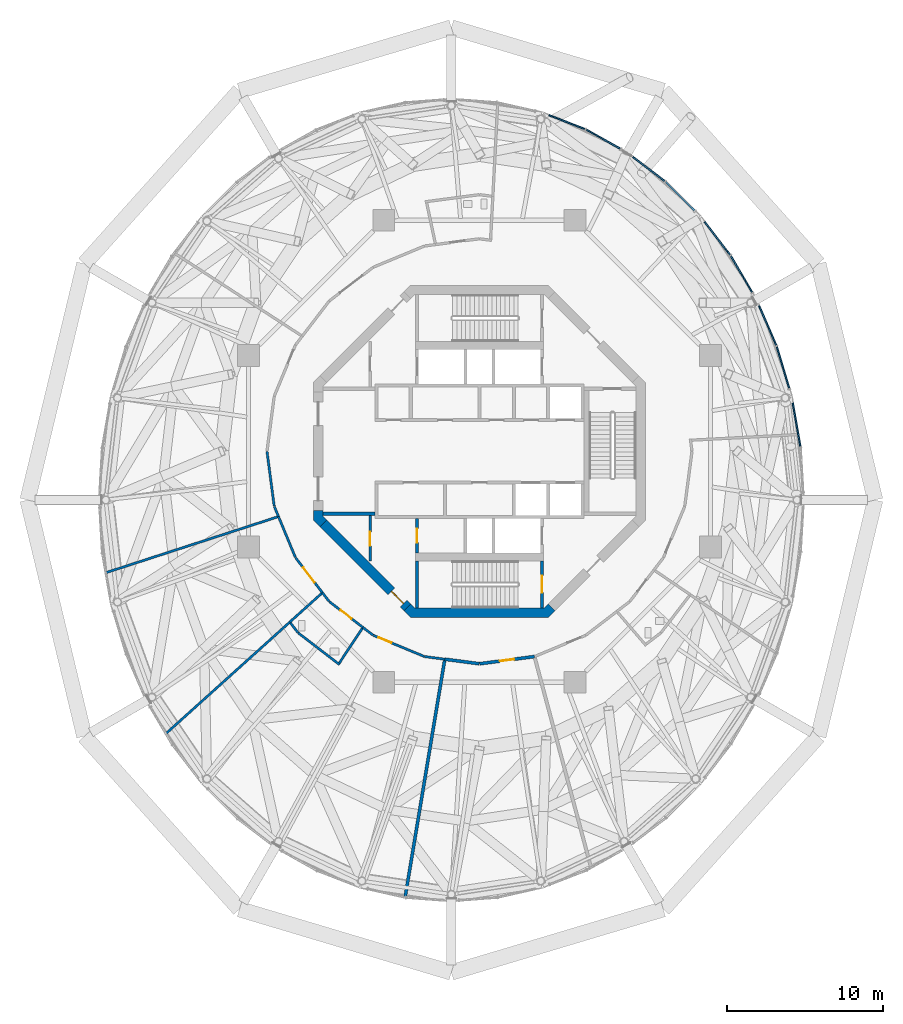
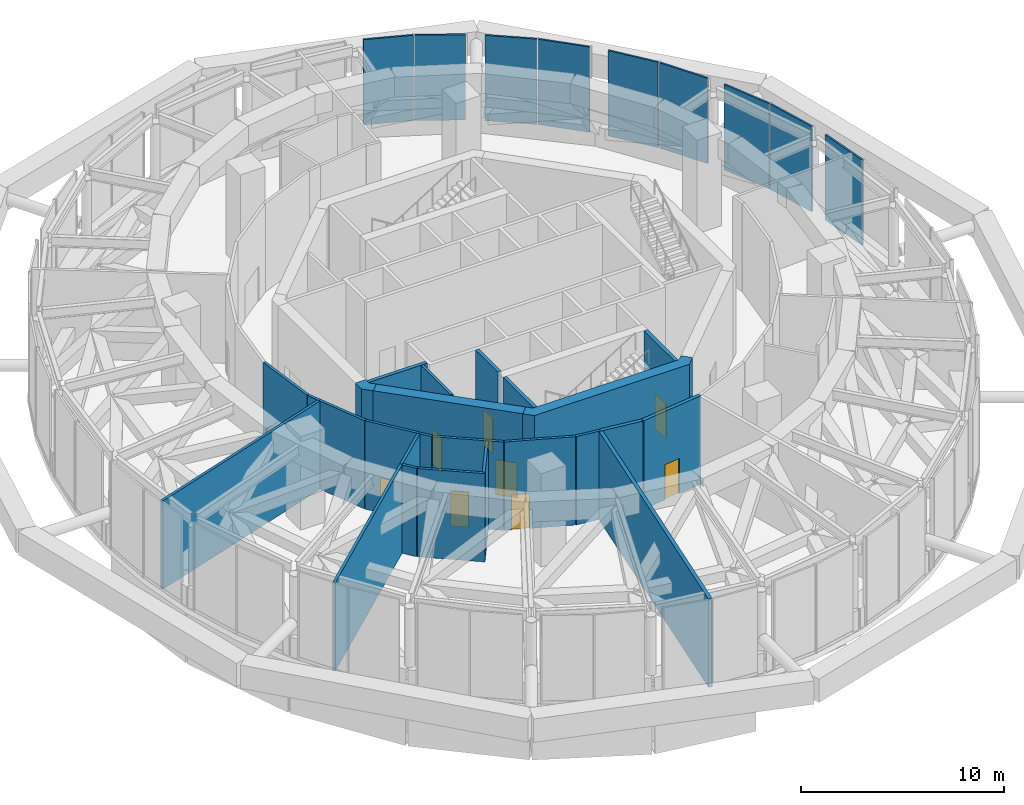
# One storey, part 13 of 22: 26 walls, 9 plates, 8 doors, 8 openings, 9 elements without a shape of their own.
"""IFC4 building model written with IfcOpenShell, lengths in metres."""

from ifc_helpers import new_model, si_unit, direction, frame, frame_2d, origin, origin_2d, place, context, subcontext, project, spatial, polyline, rectangle, outline, extrude, material, layer, layer_set, type_object, element, fill, aggregate, save


model = new_model("IFC4")

# Units and contexts
model_context = context("Model", 3, precision=1e-05, world=origin(), true_north=direction((0.0, 1.0)))
body_context = subcontext(model_context, "Body", "Model", "MODEL_VIEW")
ifc_project = project(units=[si_unit("LENGTHUNIT", "METRE"), si_unit("AREAUNIT", "SQUARE_METRE"), si_unit("VOLUMEUNIT", "CUBIC_METRE"), si_unit("PLANEANGLEUNIT", "RADIAN"), si_unit("MASSUNIT", "GRAM", prefix="KILO")], contexts=[model_context])

# Site, building, storey
site_placement = place(None, origin())
site = spatial("IfcSite", under=ifc_project, at=site_placement, CompositionType="ELEMENT")
building_placement = place(site_placement, origin())
building = spatial("IfcBuilding", under=site, at=building_placement, Name="Nagisa Residences", CompositionType="ELEMENT")
storey_placement = place(building_placement, frame((0.0, 0.0, 310.300048828125)))
storey = spatial("IfcBuildingStorey", under=building, at=storey_placement, Name="L77", CompositionType="ELEMENT", Elevation=310.300048828125)

# Curtain wall, plate
ifc_material_1 = material(Name="Aluminium curtain wall system", Category="aluminium")
ifc_layer_1 = layer(ifc_material_1, 0.159912109375)
ifc_layer_set_1 = layer_set([ifc_layer_1], Name="CW2 CURTAIN WALL")
curtain_wall_type = type_object("IfcCurtainWallType", Name="CW2 CURTAIN WALL", PredefinedType="NOTDEFINED", material=ifc_layer_set_1)
curtain_wall_1_placement = place(storey_placement, origin())
curtain_wall_1 = element("IfcCurtainWall", 1, at=curtain_wall_1_placement, inside=storey, type_object=curtain_wall_type, Name="cw:CW2:L77:01", PredefinedType="NOTDEFINED")
ifc_material_2 = material(Name="Insulated metal spandrel panel")
ifc_layer_2 = layer(ifc_material_2, 0.10009765625)
ifc_layer_set_2 = layer_set([ifc_layer_2], Name="CW2 SPANDREL PANEL")
plate_type = type_object("IfcPlateType", Name="CW2 SPANDREL PANEL", PredefinedType="SHEET", material=ifc_layer_set_2)
plate_1_placement = place(storey_placement, frame((20.291015625, 1.697265625, 0.179931640625), z_axis=(0.0, 0.0, 1.0), x_axis=(-0.172190868898, 0.985063604377, 0.0)))
plate_1 = element("IfcPlate", 2, at=plate_1_placement, type_object=plate_type, Name="CW2 spandrel panel", PredefinedType="SHEET", context=body_context, shape_type="SweptSolid", body=[
    extrude(rectangle(XDim=2.822265625, YDim=0.10009765625, at=origin_2d()), origin(), (0.0, 0.0, 1.0), 5.1201171875),
])
aggregate(curtain_wall_1, [plate_1])

curtain_wall_2_placement = place(storey_placement, origin())
curtain_wall_2 = element("IfcCurtainWall", 3, at=curtain_wall_2_placement, inside=storey, type_object=curtain_wall_type, Name="cw:CW2:L77:02", PredefinedType="NOTDEFINED")
plate_2_placement = place(storey_placement, frame((19.42138671875, 5.36962890625, 0.179931640625), z_axis=(0.0, 0.0, 1.0), x_axis=(-0.285860274038, 0.958271310082, 0.0)))
plate_2 = element("IfcPlate", 4, at=plate_2_placement, type_object=plate_type, Name="CW2 spandrel panel", PredefinedType="SHEET", context=body_context, shape_type="SweptSolid", body=[
    extrude(rectangle(XDim=2.797119140625, YDim=0.10009765625, at=origin_2d()), origin(), (0.0, 0.0, 1.0), 5.1201171875),
])
aggregate(curtain_wall_2, [plate_2])

curtain_wall_3_placement = place(storey_placement, origin())
curtain_wall_3 = element("IfcCurtainWall", 5, at=curtain_wall_3_placement, inside=storey, type_object=curtain_wall_type, Name="cw:CW2:L77:03", PredefinedType="NOTDEFINED")
plate_3_placement = place(storey_placement, frame((18.444091796875, 8.040771484375, 0.179931640625), z_axis=(0.0, 0.0, 1.0), x_axis=(-0.397635934147, 0.917543276295, 0.0)))
plate_3 = element("IfcPlate", 6, at=plate_3_placement, type_object=plate_type, Name="CW2 spandrel panel", PredefinedType="SHEET", context=body_context, shape_type="SweptSolid", body=[
    extrude(rectangle(XDim=2.760986328125, YDim=0.10009765625, at=origin_2d()), origin(), (0.0, 0.0, 1.0), 5.1201171875),
])
aggregate(curtain_wall_3, [plate_3])

curtain_wall_4_placement = place(storey_placement, origin())
curtain_wall_4 = element("IfcCurtainWall", 7, at=curtain_wall_4_placement, inside=storey, type_object=curtain_wall_type, Name="cw:CW2:L77:04", PredefinedType="NOTDEFINED")
plate_4_placement = place(storey_placement, frame((16.764404296875, 11.340087890625, 0.179931640625), z_axis=(0.0, 0.0, 1.0), x_axis=(-0.506348567002, 0.862328898214, 0.0)))
plate_4 = element("IfcPlate", 8, at=plate_4_placement, type_object=plate_type, Name="CW2 spandrel panel", PredefinedType="SHEET", context=body_context, shape_type="SweptSolid", body=[
    extrude(rectangle(XDim=2.716552734375, YDim=0.10009765625, at=origin_2d()), origin(), (0.0, 0.0, 1.0), 5.1201171875),
])
aggregate(curtain_wall_4, [plate_4])

curtain_wall_5_placement = place(storey_placement, origin())
curtain_wall_5 = element("IfcCurtainWall", 9, at=curtain_wall_5_placement, inside=storey, type_object=curtain_wall_type, Name="cw:CW2:L77:05", PredefinedType="NOTDEFINED")
plate_5_placement = place(storey_placement, frame((15.2197265625, 13.6220703125, 0.179931640625), z_axis=(0.0, 0.0, 1.0), x_axis=(-0.610429828235, 0.792070340816, 0.0)))
plate_5 = element("IfcPlate", 10, at=plate_5_placement, type_object=plate_type, Name="CW2 spandrel panel", PredefinedType="SHEET", context=body_context, shape_type="SweptSolid", body=[
    extrude(rectangle(XDim=2.666015625, YDim=0.10009765625, at=origin_2d()), origin(), (0.0, 0.0, 1.0), 5.1201171875),
])
aggregate(curtain_wall_5, [plate_5])

curtain_wall_6_placement = place(storey_placement, origin())
curtain_wall_6 = element("IfcCurtainWall", 11, at=curtain_wall_6_placement, inside=storey, type_object=curtain_wall_type, Name="cw:CW2:L77:06", PredefinedType="NOTDEFINED")
plate_6_placement = place(storey_placement, frame((12.83837890625, 16.32373046875, 0.179931640625), z_axis=(0.0, 0.0, 1.0), x_axis=(-0.707835924016, 0.706376885714, 0.0)))
plate_6 = element("IfcPlate", 12, at=plate_6_placement, type_object=plate_type, Name="CW2 spandrel panel", PredefinedType="SHEET", context=body_context, shape_type="SweptSolid", body=[
    extrude(rectangle(XDim=2.61279296875, YDim=0.10009765625, at=origin_2d()), origin(), (0.0, 0.0, 1.0), 5.1201171875),
])
aggregate(curtain_wall_6, [plate_6])

curtain_wall_7_placement = place(storey_placement, origin())
curtain_wall_7 = element("IfcCurtainWall", 13, at=curtain_wall_7_placement, inside=storey, type_object=curtain_wall_type, Name="cw:CW2:L77:07", PredefinedType="NOTDEFINED")
plate_7_placement = place(storey_placement, frame((10.8388671875, 18.062744140625, 0.179931640625), z_axis=(0.0, 0.0, 1.0), x_axis=(-0.79603132756, 0.605255421737, 0.0)))
plate_7 = element("IfcPlate", 14, at=plate_7_placement, type_object=plate_type, Name="CW2 spandrel panel", PredefinedType="SHEET", context=body_context, shape_type="SweptSolid", body=[
    extrude(rectangle(XDim=2.560546875, YDim=0.10009765625, at=origin_2d()), origin(), (0.0, 0.0, 1.0), 5.1201171875),
])
aggregate(curtain_wall_7, [plate_7])

curtain_wall_8_placement = place(storey_placement, origin())
curtain_wall_8 = element("IfcCurtainWall", 15, at=curtain_wall_8_placement, inside=storey, type_object=curtain_wall_type, Name="cw:CW2:L77:08", PredefinedType="NOTDEFINED")
plate_8_placement = place(storey_placement, frame((7.912841796875, 19.978271484375, 0.179931640625), z_axis=(0.0, 0.0, 1.0), x_axis=(-0.872072377523, 0.489376918501, 0.0)))
plate_8 = element("IfcPlate", 16, at=plate_8_placement, type_object=plate_type, Name="CW2 spandrel panel", PredefinedType="SHEET", context=body_context, shape_type="SweptSolid", body=[
    extrude(rectangle(XDim=2.512939453125, YDim=0.10009765625, at=origin_2d()), origin(), (0.0, 0.0, 1.0), 5.1201171875),
])
aggregate(curtain_wall_8, [plate_8])

curtain_wall_9_placement = place(storey_placement, origin())
curtain_wall_9 = element("IfcCurtainWall", 17, at=curtain_wall_9_placement, inside=storey, type_object=curtain_wall_type, Name="cw:CW2:L77:09", PredefinedType="NOTDEFINED")
plate_9_placement = place(storey_placement, frame((5.59912109375, 21.062744140625, 0.179931640625), z_axis=(0.0, 0.0, 1.0), x_axis=(-0.932825759707, 0.360327770268, 0.0)))
plate_9 = element("IfcPlate", 18, at=plate_9_placement, type_object=plate_type, Name="CW2 spandrel panel", PredefinedType="SHEET", context=body_context, shape_type="SweptSolid", body=[
    extrude(rectangle(XDim=2.4736328125, YDim=0.10009765625, at=origin_2d()), origin(), (0.0, 0.0, 1.0), 5.1201171875),
])
aggregate(curtain_wall_9, [plate_9])

# Wall, opening, door
ifc_material_3 = material(Name="Gypsum board on steel studs", Category="steel")
ifc_layer_3 = layer(ifc_material_3, 0.14990234375)
ifc_layer_set_3 = layer_set([ifc_layer_3], Name="Core partition 150")
wall_type_1 = type_object("IfcWallType", Name="Core partition 150", PredefinedType="PARTITIONING", material=ifc_layer_set_3)
wall_1_placement = place(storey_placement, frame((-7.0, -7.02685546875, 0.0), z_axis=(0.0, 0.0, 1.0), x_axis=(0.0, 1.0, 0.0)))
wall_1 = element("IfcWall", 19, at=wall_1_placement, inside=storey, type_object=wall_type_1, Name="wall:L77:SWp", PredefinedType="PARTITIONING", context=body_context, shape_type="SweptSolid", body=[
    extrude(rectangle(XDim=2.9267578125, YDim=0.14990234375, at=frame_2d((1.46337890625, 0.0))), origin(), (0.0, 0.0, 1.0), 5.300048828125),
])
opening_1_placement = place(wall_1_placement, frame((0.97607421875, 0.0, 0.0)))
opening_1 = element("IfcOpeningElement", 20, at=opening_1_placement, cuts=wall_1, Name="Opening L77-C11", PredefinedType="OPENING", context=body_context, shape_type="SweptSolid", body=[
    extrude(rectangle(XDim=0.89990234375, YDim=2.10009765625, at=frame_2d((0.449951171875, 1.050048828125))), frame((0.0, 0.0849609375, 0.0), z_axis=(0.0, -1.0, 0.0), x_axis=(1.0, 0.0, 0.0)), (0.0, 0.0, 1.0), 0.169921875),
])
ifc_material_4 = material(Name="Steel fire door", Category="steel")
door_type_1 = type_object("IfcDoorType", Name="Fire door EI30 900x2100 single swing", OperationType="NOTDEFINED", PredefinedType="DOOR", material=ifc_material_4)
door_1_placement = place(opening_1_placement, origin())
door_1 = element("IfcDoor", 21, at=door_1_placement, inside=storey, type_object=door_type_1, Name="Refuse room door L77", OperationType="SINGLE_SWING_RIGHT", OverallHeight=2.10009765625, OverallWidth=0.89990234375, PredefinedType="DOOR", context=body_context, shape_type="SweptSolid", body=[
    extrude(rectangle(XDim=0.89990234375, YDim=2.10009765625, at=frame_2d((0.449951171875, 1.050048828125))), frame((0.0, 0.02490234375, 0.0), z_axis=(0.0, -1.0, 0.0), x_axis=(1.0, 0.0, 0.0)), (0.0, 0.0, 1.0), 0.050048828125),
])
fill(opening_1, door_1)

# Wall
ifc_material_5 = material(Name="Gypsum board on steel studs", Category="steel")
ifc_layer_4 = layer(ifc_material_5, 0.199951171875)
ifc_layer_set_4 = layer_set([ifc_layer_4], Name="Core partition 200")
wall_type_2 = type_object("IfcWallType", Name="Core partition 200", PredefinedType="PARTITIONING", material=ifc_layer_set_4)
wall_2_placement = place(storey_placement, frame((-10.024658203125, -4.0, 0.0), z_axis=(0.0, 0.0, 1.0), x_axis=(1.0, 0.0, 0.0)))
element("IfcWall", 22, at=wall_2_placement, inside=storey, type_object=wall_type_2, Name="wall:L77:PSW", PredefinedType="PARTITIONING", context=body_context, shape_type="SweptSolid", body=[
    extrude(rectangle(XDim=3.32470703125, YDim=0.199951171875, at=frame_2d((1.662353515625, 0.0))), origin(), (0.0, 0.0, 1.0), 5.300048828125),
])

# Wall, opening, door
ifc_material_6 = material(Name="Concrete C60", Category="concrete")
ifc_layer_5 = layer(ifc_material_6, 0.60009765625)
ifc_layer_set_5 = layer_set([ifc_layer_5], Name="Core shear wall 600")
wall_type_3 = type_object("IfcWallType", Name="Core shear wall 600", PredefinedType="SHEAR", material=ifc_layer_set_5)
wall_3_placement = place(storey_placement, frame((-9.98828125, -4.613037109375, 0.0), z_axis=(0.0, 0.0, 1.0), x_axis=(0.707106781187, -0.707106781187, 0.0)))
wall_3 = element("IfcWall", 23, at=wall_3_placement, inside=storey, type_object=wall_type_3, Name="wall:L77:core:flat5", PredefinedType="SHEAR", context=body_context, shape_type="SweptSolid", body=[
    extrude(rectangle(XDim=7.601806640625, YDim=0.60009765625, at=frame_2d((3.80078125, 0.0))), origin(), (0.0, 0.0, 1.0), 5.300048828125),
])
opening_2_placement = place(wall_3_placement, frame((6.15087890625, 0.0, 0.0)))
opening_2 = element("IfcOpeningElement", 24, at=opening_2_placement, cuts=wall_3, Name="Opening L77-C24", PredefinedType="OPENING", context=body_context, shape_type="SweptSolid", body=[
    extrude(rectangle(XDim=1.10009765625, YDim=2.10009765625, at=frame_2d((0.550048828125, 1.050048828125))), frame((0.0, 0.31005859375, 0.0), z_axis=(0.0, -1.0, 0.0), x_axis=(1.0, 0.0, 0.0)), (0.0, 0.0, 1.0), 0.6201171875),
])
ifc_material_7 = material(Name="Steel fire door", Category="steel")
door_type_2 = type_object("IfcDoorType", Name="Fire door EI60 1100x2100 single swing", OperationType="NOTDEFINED", PredefinedType="DOOR", material=ifc_material_7)
door_2_placement = place(opening_2_placement, origin())
door_2 = element("IfcDoor", 25, at=door_2_placement, inside=storey, type_object=door_type_2, Name="Housekeeping lobby door L77", OperationType="SINGLE_SWING_LEFT", OverallHeight=2.10009765625, OverallWidth=1.10009765625, PredefinedType="DOOR", context=body_context, shape_type="SweptSolid", body=[
    extrude(rectangle(XDim=1.10009765625, YDim=2.10009765625, at=frame_2d((0.550048828125, 1.050048828125))), frame((0.0, 0.02490234375, 0.0), z_axis=(0.0, -1.0, 0.0), x_axis=(1.0, 0.0, 0.0)), (0.0, 0.0, 1.0), 0.050048828125),
])
fill(opening_2, door_2)

# Walls
wall_4_placement = place(storey_placement, origin())
element("IfcWall", 26, at=wall_4_placement, inside=storey, type_object=wall_type_3, Name="wall:L77:core:pier4", PredefinedType="SHEAR", context=body_context, shape_type="SweptSolid", body=[
    extrude(outline(polyline([(-10.62451171875, -3.80078125), (-10.024658203125, -3.80078125), (-10.024658203125, -4.15234375), (-9.776123046875, -4.40087890625), (-10.200439453125, -4.8251953125), (-10.62451171875, -4.40087890625), (-10.62451171875, -3.80078125)])), origin(), (0.0, 0.0, 1.0), 5.300048828125),
])
wall_5_placement = place(storey_placement, origin())
element("IfcWall", 27, at=wall_5_placement, inside=storey, type_object=wall_type_3, Name="wall:L77:core:flat6", PredefinedType="SHEAR", context=body_context, shape_type="SweptSolid", body=[
    extrude(outline(polyline([(-4.15234375, -10.024658203125), (4.15234375, -10.024658203125), (4.40087890625, -9.776123046875), (4.8251953125, -10.200439453125), (4.40087890625, -10.62451171875), (-4.40087890625, -10.62451171875), (-4.8251953125, -10.200439453125), (-4.40087890625, -9.776123046875), (-4.15234375, -10.024658203125)])), origin(), (0.0, 0.0, 1.0), 5.300048828125),
])

# Wall, opening, door
ifc_material_8 = material(Name="Concrete C60", Category="concrete")
ifc_layer_6 = layer(ifc_material_8, 0.199951171875)
ifc_layer_set_6 = layer_set([ifc_layer_6], Name="Lift shaft wall 200")
wall_type_4 = type_object("IfcWallType", Name="Lift shaft wall 200", PredefinedType="SOLIDWALL", material=ifc_layer_set_6)
wall_6_placement = place(storey_placement, frame((-4.0, -6.5, 0.0), z_axis=(0.0, 0.0, 1.0), x_axis=(0.0, 1.0, 0.0)))
wall_6 = element("IfcWall", 28, at=wall_6_placement, inside=storey, type_object=wall_type_4, Name="wall:L77:Sb4", PredefinedType="SOLIDWALL", context=body_context, shape_type="SweptSolid", body=[
    extrude(rectangle(XDim=2.199951171875, YDim=0.199951171875, at=frame_2d((1.10009765625, 0.0))), origin(), (0.0, 0.0, 1.0), 5.300048828125),
])
opening_3_placement = place(wall_6_placement, frame((0.64990234375, 0.0, 0.0)))
opening_3 = element("IfcOpeningElement", 29, at=opening_3_placement, cuts=wall_6, Name="Opening L77-C12", PredefinedType="OPENING", context=body_context, shape_type="SweptSolid", body=[
    extrude(rectangle(XDim=0.89990234375, YDim=2.10009765625, at=frame_2d((0.449951171875, 1.050048828125))), frame((0.0, 0.10986328125, 0.0), z_axis=(0.0, -1.0, 0.0), x_axis=(1.0, 0.0, 0.0)), (0.0, 0.0, 1.0), 0.219970703125),
])
door_3_placement = place(opening_3_placement, frame((0.89990234375, 0.0, 0.0), x_axis=(-1.0, 0.0, 0.0)))
door_3 = element("IfcDoor", 30, at=door_3_placement, inside=storey, type_object=door_type_1, Name="Refuse room door L77", OperationType="SINGLE_SWING_LEFT", OverallHeight=2.10009765625, OverallWidth=0.89990234375, PredefinedType="DOOR", context=body_context, shape_type="SweptSolid", body=[
    extrude(rectangle(XDim=0.89990234375, YDim=2.10009765625, at=frame_2d((0.449951171875, 1.050048828125))), frame((0.0, 0.02490234375, 0.0), z_axis=(0.0, -1.0, 0.0), x_axis=(1.0, 0.0, 0.0)), (0.0, 0.0, 1.0), 0.050048828125),
])
fill(opening_3, door_3)

# Walls
ifc_material_9 = material(Name="Gypsum board on steel studs", Category="steel")
ifc_layer_7 = layer(ifc_material_9, 0.199951171875)
ifc_layer_set_7 = layer_set([ifc_layer_7], Name="Plant room wall EI120 200")
wall_type_5 = type_object("IfcWallType", Name="Plant room wall EI120 200", PredefinedType="PARTITIONING", material=ifc_layer_set_7)
wall_7_placement = place(storey_placement, frame((-2.23583984375, -13.406494140625, 0.0), z_axis=(0.0, 0.0, 1.0), x_axis=(-0.164512574318, -0.986374985942, 0.0)))
element("IfcWall", 31, at=wall_7_placement, inside=storey, type_object=wall_type_5, Name="wall:L77:am044", PredefinedType="PARTITIONING", context=body_context, shape_type="SweptSolid", body=[
    extrude(rectangle(XDim=15.3359375, YDim=0.199951171875, at=frame_2d((7.66796875, 0.0))), origin(), (0.0, 0.0, 1.0), 5.300048828125),
])
wall_8_placement = place(storey_placement, frame((-0.01513671875, -13.597900390625, 0.0), z_axis=(0.0, 0.0, 1.0), x_axis=(-0.991454669289, 0.130451672069, 0.0)))
element("IfcWall", 32, at=wall_8_placement, inside=storey, type_object=wall_type_5, Name="wall:L77:am045", PredefinedType="PARTITIONING", context=body_context, shape_type="SweptSolid", body=[
    extrude(rectangle(XDim=2.223388671875, YDim=0.199951171875, at=frame_2d((1.11181640625, 0.0))), origin(), (0.0, 0.0, 1.0), 5.300048828125),
])

# Wall, opening, door
wall_9_placement = place(storey_placement, frame((3.52001953125, -13.13671875, 0.0), z_axis=(0.0, 0.0, 1.0), x_axis=(-0.991453825407, -0.130458085553, 0.0)))
wall_9 = element("IfcWall", 33, at=wall_9_placement, inside=storey, type_object=wall_type_5, Name="wall:L77:am046", PredefinedType="PARTITIONING", context=body_context, shape_type="SweptSolid", body=[
    extrude(rectangle(XDim=3.53515625, YDim=0.199951171875, at=frame_2d((1.767578125, 0.0))), origin(), (0.0, 0.0, 1.0), 5.300048828125),
])
opening_4_placement = place(wall_9_placement, frame((1.3251953125, 0.0, 0.0)))
opening_4 = element("IfcOpeningElement", 34, at=opening_4_placement, cuts=wall_9, Name="Opening L77-A07", PredefinedType="OPENING", context=body_context, shape_type="SweptSolid", body=[
    extrude(rectangle(XDim=0.89990234375, YDim=2.10009765625, at=frame_2d((0.449951171875, 1.050048828125))), frame((0.0, 0.10986328125, 0.0), z_axis=(0.0, -1.0, 0.0), x_axis=(1.0, 0.0, 0.0)), (0.0, 0.0, 1.0), 0.219970703125),
])
ifc_material_10 = material(Name="Steel fire door", Category="steel")
door_type_3 = type_object("IfcDoorType", Name="Fire door EI120 900x2100 single swing", OperationType="NOTDEFINED", PredefinedType="DOOR", material=ifc_material_10)
door_4_placement = place(opening_4_placement, origin())
door_4 = element("IfcDoor", 35, at=door_4_placement, inside=storey, type_object=door_type_3, Name="Sky lounge kitchen door", OperationType="SINGLE_SWING_LEFT", OverallHeight=2.10009765625, OverallWidth=0.89990234375, PredefinedType="DOOR", context=body_context, shape_type="SweptSolid", body=[
    extrude(rectangle(XDim=0.89990234375, YDim=2.10009765625, at=frame_2d((0.449951171875, 1.050048828125))), frame((0.0, 0.02490234375, 0.0), z_axis=(0.0, -1.0, 0.0), x_axis=(1.0, 0.0, 0.0)), (0.0, 0.0, 1.0), 0.050048828125),
])
fill(opening_4, door_4)

# Walls
ifc_material_11 = material(Name="Gypsum board on steel studs", Category="steel")
ifc_layer_8 = layer(ifc_material_11, 0.14990234375)
ifc_layer_set_8 = layer_set([ifc_layer_8], Name="Room partition EI60 150")
wall_type_6 = type_object("IfcWallType", Name="Room partition EI60 150", PredefinedType="PARTITIONING", material=ifc_layer_set_8)
wall_10_placement = place(storey_placement, frame((-13.13818359375, -3.508056640625, 0.0), z_axis=(0.0, 0.0, 1.0), x_axis=(-0.130499283623, 0.991448403586, 0.0)))
element("IfcWall", 36, at=wall_10_placement, inside=storey, type_object=wall_type_6, Name="wall:L77:am001", PredefinedType="PARTITIONING", context=body_context, shape_type="SweptSolid", body=[
    extrude(rectangle(XDim=3.526611328125, YDim=0.14990234375, at=frame_2d((1.76318359375, 0.0))), origin(), (0.0, 0.0, 1.0), 5.300048828125),
])
wall_11_placement = place(storey_placement, frame((-12.93505859375, -4.202880859375, 0.0), z_axis=(0.0, 0.0, 1.0), x_axis=(-0.951055230502, -0.30902095161, 0.0)))
element("IfcWall", 37, at=wall_11_placement, inside=storey, type_object=wall_type_6, Name="wall:L77:am003", PredefinedType="PARTITIONING", context=body_context, shape_type="SweptSolid", body=[
    extrude(rectangle(XDim=11.529052734375, YDim=0.14990234375, at=frame_2d((5.7646484375, 0.0))), origin(), (0.0, 0.0, 1.0), 5.300048828125),
])
wall_12_placement = place(storey_placement, frame((-12.86328125, -4.1796875, 0.0), z_axis=(0.0, 0.0, 1.0), x_axis=(-0.382689470177, 0.923877031545, 0.0)))
element("IfcWall", 38, at=wall_12_placement, inside=storey, type_object=wall_type_6, Name="wall:L77:am004", PredefinedType="PARTITIONING", context=body_context, shape_type="SweptSolid", body=[
    extrude(rectangle(XDim=0.702392578125, YDim=0.14990234375, at=frame_2d((0.35107421875, 0.0))), origin(), (0.0, 0.0, 1.0), 5.300048828125),
])
wall_13_placement = place(storey_placement, frame((-12.138427734375, -10.9296875, 0.0), z_axis=(0.0, 0.0, 1.0), x_axis=(-0.743151720373, -0.669122948722, 0.0)))
element("IfcWall", 39, at=wall_13_placement, inside=storey, type_object=wall_type_6, Name="wall:L77:am005", PredefinedType="PARTITIONING", context=body_context, shape_type="SweptSolid", body=[
    extrude(rectangle(XDim=10.655517578125, YDim=0.14990234375, at=frame_2d((5.32763671875, 0.0))), origin(), (0.0, 0.0, 1.0), 5.300048828125),
])
wall_14_placement = place(storey_placement, frame((-11.782470703125, -6.7890625, 0.0), z_axis=(0.0, 0.0, 1.0), x_axis=(-0.382674980262, 0.923883033442, 0.0)))
element("IfcWall", 40, at=wall_14_placement, inside=storey, type_object=wall_type_6, Name="wall:L77:am006", PredefinedType="PARTITIONING", context=body_context, shape_type="SweptSolid", body=[
    extrude(rectangle(XDim=2.824462890625, YDim=0.14990234375, at=frame_2d((1.412109375, 0.0))), origin(), (0.0, 0.0, 1.0), 5.300048828125),
])
wall_15_placement = place(storey_placement, frame((-11.620849609375, -11.604248046875, 0.0), z_axis=(0.0, 0.0, 1.0), x_axis=(-0.608781909099, 0.793337624945, 0.0)))
element("IfcWall", 41, at=wall_15_placement, inside=storey, type_object=wall_type_6, Name="wall:L77:am008", PredefinedType="PARTITIONING", context=body_context, shape_type="SweptSolid", body=[
    extrude(rectangle(XDim=0.775146484375, YDim=0.14990234375, at=frame_2d((0.3876953125, 0.0))), origin(), (0.0, 0.0, 1.0), 5.300048828125),
])
wall_16_placement = place(storey_placement, frame((-10.107177734375, -9.1005859375, 0.0), z_axis=(0.0, 0.0, 1.0), x_axis=(-0.743116473198, -0.669162093414, 0.0)))
element("IfcWall", 42, at=wall_16_placement, inside=storey, type_object=wall_type_6, Name="wall:L77:am011", PredefinedType="PARTITIONING", context=body_context, shape_type="SweptSolid", body=[
    extrude(rectangle(XDim=2.7333984375, YDim=0.14990234375, at=frame_2d((1.36669921875, 0.0))), origin(), (0.0, 0.0, 1.0), 5.300048828125),
])

# Wall, opening, door
wall_17_placement = place(storey_placement, frame((-10.05126953125, -9.05029296875, 0.0), z_axis=(0.0, 0.0, 1.0), x_axis=(-0.608745411834, 0.793365630445, 0.0)))
wall_17 = element("IfcWall", 43, at=wall_17_placement, inside=storey, type_object=wall_type_6, Name="wall:L77:am012", PredefinedType="PARTITIONING", context=body_context, shape_type="SweptSolid", body=[
    extrude(rectangle(XDim=2.82470703125, YDim=0.14990234375, at=frame_2d((1.412353515625, 0.0))), origin(), (0.0, 0.0, 1.0), 5.300048828125),
])
opening_5_placement = place(wall_17_placement, frame((0.818115234375, 0.0, 0.0)))
opening_5 = element("IfcOpeningElement", 44, at=opening_5_placement, cuts=wall_17, Name="Opening L77-A04", PredefinedType="OPENING", context=body_context, shape_type="SweptSolid", body=[
    extrude(rectangle(XDim=1.199951171875, YDim=2.10009765625, at=frame_2d((0.60009765625, 1.050048828125))), frame((0.0, 0.0849609375, 0.0), z_axis=(0.0, -1.0, 0.0), x_axis=(1.0, 0.0, 0.0)), (0.0, 0.0, 1.0), 0.169921875),
])
ifc_material_12 = material(Name="Steel fire door", Category="steel")
door_type_4 = type_object("IfcDoorType", Name="Fire door EI30 1200x2100 single swing", OperationType="NOTDEFINED", PredefinedType="DOOR", material=ifc_material_12)
door_5_placement = place(opening_5_placement, frame((1.199951171875, 0.0, 0.0), x_axis=(-1.0, 0.0, 0.0)))
door_5 = element("IfcDoor", 45, at=door_5_placement, inside=storey, type_object=door_type_4, Name="Sky lounge bar door", OperationType="SINGLE_SWING_LEFT", OverallHeight=2.10009765625, OverallWidth=1.199951171875, PredefinedType="DOOR", context=body_context, shape_type="SweptSolid", body=[
    extrude(rectangle(XDim=1.199951171875, YDim=2.10009765625, at=frame_2d((0.60009765625, 1.050048828125))), frame((0.0, 0.02490234375, 0.0), z_axis=(0.0, -1.0, 0.0), x_axis=(1.0, 0.0, 0.0)), (0.0, 0.0, 1.0), 0.050048828125),
])
fill(opening_5, door_5)

# Walls
wall_18_placement = place(storey_placement, frame((-9.6240234375, -9.607177734375, 0.0), z_axis=(0.0, 0.0, 1.0), x_axis=(-0.608701690893, 0.793399175387, 0.0)))
element("IfcWall", 46, at=wall_18_placement, inside=storey, type_object=wall_type_6, Name="wall:L77:am013", PredefinedType="PARTITIONING", context=body_context, shape_type="SweptSolid", body=[
    extrude(rectangle(XDim=0.701904296875, YDim=0.14990234375, at=frame_2d((0.35107421875, 0.0))), origin(), (0.0, 0.0, 1.0), 5.300048828125),
])
wall_19_placement = place(storey_placement, frame((-8.949951171875, -13.657470703125, 0.0), z_axis=(0.0, 0.0, 1.0), x_axis=(-0.793366697833, 0.608744020725, 0.0)))
element("IfcWall", 47, at=wall_19_placement, inside=storey, type_object=wall_type_6, Name="wall:L77:am015", PredefinedType="PARTITIONING", context=body_context, shape_type="SweptSolid", body=[
    extrude(rectangle(XDim=3.345703125, YDim=0.14990234375, at=frame_2d((1.6728515625, 0.0))), origin(), (0.0, 0.0, 1.0), 5.300048828125),
])

# Wall, opening, door
wall_20_placement = place(storey_placement, frame((-7.46044921875, -11.271240234375, 0.0), z_axis=(0.0, 0.0, 1.0), x_axis=(-0.793357968255, 0.608755397682, 0.0)))
wall_20 = element("IfcWall", 48, at=wall_20_placement, inside=storey, type_object=wall_type_6, Name="wall:L77:am016", PredefinedType="PARTITIONING", context=body_context, shape_type="SweptSolid", body=[
    extrude(rectangle(XDim=2.705810546875, YDim=0.14990234375, at=frame_2d((1.35302734375, 0.0))), origin(), (0.0, 0.0, 1.0), 5.300048828125),
])
opening_6_placement = place(wall_20_placement, frame((0.908935546875, 0.0, 0.0)))
opening_6 = element("IfcOpeningElement", 49, at=opening_6_placement, cuts=wall_20, Name="Opening L77-A05", PredefinedType="OPENING", context=body_context, shape_type="SweptSolid", body=[
    extrude(rectangle(XDim=0.89990234375, YDim=2.10009765625, at=frame_2d((0.449951171875, 1.050048828125))), frame((0.0, 0.0849609375, 0.0), z_axis=(0.0, -1.0, 0.0), x_axis=(1.0, 0.0, 0.0)), (0.0, 0.0, 1.0), 0.169921875),
])
door_6_placement = place(opening_6_placement, origin())
door_6 = element("IfcDoor", 50, at=door_6_placement, inside=storey, type_object=door_type_1, Name="WC 1 door", OperationType="SINGLE_SWING_LEFT", OverallHeight=2.10009765625, OverallWidth=0.89990234375, PredefinedType="DOOR", context=body_context, shape_type="SweptSolid", body=[
    extrude(rectangle(XDim=0.89990234375, YDim=2.10009765625, at=frame_2d((0.449951171875, 1.050048828125))), frame((0.0, 0.02490234375, 0.0), z_axis=(0.0, -1.0, 0.0), x_axis=(1.0, 0.0, 0.0)), (0.0, 0.0, 1.0), 0.050048828125),
])
fill(opening_6, door_6)

# Walls
wall_21_placement = place(storey_placement, frame((-7.501953125, -11.333984375, 0.0), z_axis=(0.0, 0.0, 1.0), x_axis=(-0.55191859821, -0.833897991933, 0.0)))
element("IfcWall", 51, at=wall_21_placement, inside=storey, type_object=wall_type_6, Name="wall:L77:am017", PredefinedType="PARTITIONING", context=body_context, shape_type="SweptSolid", body=[
    extrude(rectangle(XDim=2.65625, YDim=0.14990234375, at=frame_2d((1.328125, 0.0))), origin(), (0.0, 0.0, 1.0), 5.300048828125),
])
wall_22_placement = place(storey_placement, frame((-6.809326171875, -11.770751953125, 0.0), z_axis=(0.0, 0.0, 1.0), x_axis=(-0.793419582726, 0.60867509046, 0.0)))
element("IfcWall", 52, at=wall_22_placement, inside=storey, type_object=wall_type_6, Name="wall:L77:am018", PredefinedType="PARTITIONING", context=body_context, shape_type="SweptSolid", body=[
    extrude(rectangle(XDim=0.820556640625, YDim=0.14990234375, at=frame_2d((0.41015625, 0.0))), origin(), (0.0, 0.0, 1.0), 5.300048828125),
])

# Wall, opening, door
wall_23_placement = place(storey_placement, frame((-3.53076171875, -13.132080078125, 0.0), z_axis=(0.0, 0.0, 1.0), x_axis=(-0.923881838111, 0.382677866108, 0.0)))
wall_23 = element("IfcWall", 53, at=wall_23_placement, inside=storey, type_object=wall_type_6, Name="wall:L77:am020", PredefinedType="PARTITIONING", context=body_context, shape_type="SweptSolid", body=[
    extrude(rectangle(XDim=3.52685546875, YDim=0.14990234375, at=frame_2d((1.763427734375, 0.0))), origin(), (0.0, 0.0, 1.0), 5.300048828125),
])
opening_7_placement = place(wall_23_placement, frame((2.281005859375, 0.0, 0.0)))
opening_7 = element("IfcOpeningElement", 54, at=opening_7_placement, cuts=wall_23, Name="Opening L77-A06", PredefinedType="OPENING", context=body_context, shape_type="SweptSolid", body=[
    extrude(rectangle(XDim=0.89990234375, YDim=2.10009765625, at=frame_2d((0.449951171875, 1.050048828125))), frame((0.0, 0.0849609375, 0.0), z_axis=(0.0, -1.0, 0.0), x_axis=(1.0, 0.0, 0.0)), (0.0, 0.0, 1.0), 0.169921875),
])
door_7_placement = place(opening_7_placement, origin())
door_7 = element("IfcDoor", 55, at=door_7_placement, inside=storey, type_object=door_type_1, Name="Private function room door", OperationType="SINGLE_SWING_RIGHT", OverallHeight=2.10009765625, OverallWidth=0.89990234375, PredefinedType="DOOR", context=body_context, shape_type="SweptSolid", body=[
    extrude(rectangle(XDim=0.89990234375, YDim=2.10009765625, at=frame_2d((0.449951171875, 1.050048828125))), frame((0.0, 0.02490234375, 0.0), z_axis=(0.0, -1.0, 0.0), x_axis=(1.0, 0.0, 0.0)), (0.0, 0.0, 1.0), 0.050048828125),
])
fill(opening_7, door_7)

# Wall
wall_24_placement = place(storey_placement, frame((-2.219482421875, -13.307861328125, 0.0), z_axis=(0.0, 0.0, 1.0), x_axis=(-0.991441503566, 0.130551694767, 0.0)))
element("IfcWall", 56, at=wall_24_placement, inside=storey, type_object=wall_type_6, Name="wall:L77:am025", PredefinedType="PARTITIONING", context=body_context, shape_type="SweptSolid", body=[
    extrude(rectangle(XDim=1.2998046875, YDim=0.14990234375, at=frame_2d((0.64990234375, 0.0))), origin(), (0.0, 0.0, 1.0), 5.300048828125),
])

# Wall, opening, door
ifc_material_13 = material(Name="Concrete C60", Category="concrete")
ifc_layer_9 = layer(ifc_material_13, 0.199951171875)
ifc_layer_set_9 = layer_set([ifc_layer_9], Name="Stair enclosure wall 200")
wall_type_7 = type_object("IfcWallType", Name="Stair enclosure wall 200", PredefinedType="SOLIDWALL", material=ifc_layer_set_9)
wall_25_placement = place(storey_placement, frame((4.0, -10.024658203125, 0.0), z_axis=(0.0, 0.0, 1.0), x_axis=(0.0, 1.0, 0.0)))
wall_25 = element("IfcWall", 57, at=wall_25_placement, inside=storey, type_object=wall_type_7, Name="wall:L77:SS_e", PredefinedType="SOLIDWALL", context=body_context, shape_type="SweptSolid", body=[
    extrude(rectangle(XDim=3.0, YDim=0.199951171875, at=frame_2d((1.5, 0.0))), origin(), (0.0, 0.0, 1.0), 5.300048828125),
])
opening_8_placement = place(wall_25_placement, frame((0.974609375, 0.0, 0.0)))
opening_8 = element("IfcOpeningElement", 58, at=opening_8_placement, cuts=wall_25, Name="Opening L77-C09", PredefinedType="OPENING", context=body_context, shape_type="SweptSolid", body=[
    extrude(rectangle(XDim=1.10009765625, YDim=2.10009765625, at=frame_2d((0.550048828125, 1.050048828125))), frame((0.0, 0.10986328125, 0.0), z_axis=(0.0, -1.0, 0.0), x_axis=(1.0, 0.0, 0.0)), (0.0, 0.0, 1.0), 0.219970703125),
])
ifc_material_14 = material(Name="Steel fire door", Category="steel")
door_type_5 = type_object("IfcDoorType", Name="Fire door EI90 1100x2100 single swing", OperationType="NOTDEFINED", PredefinedType="DOOR", material=ifc_material_14)
door_8_placement = place(opening_8_placement, origin())
door_8 = element("IfcDoor", 59, at=door_8_placement, inside=storey, type_object=door_type_5, Name="Stair door ST-S L77", OperationType="SINGLE_SWING_RIGHT", OverallHeight=2.10009765625, OverallWidth=1.10009765625, PredefinedType="DOOR", context=body_context, shape_type="SweptSolid", body=[
    extrude(rectangle(XDim=1.10009765625, YDim=2.10009765625, at=frame_2d((0.550048828125, 1.050048828125))), frame((0.0, 0.02490234375, 0.0), z_axis=(0.0, -1.0, 0.0), x_axis=(1.0, 0.0, 0.0)), (0.0, 0.0, 1.0), 0.050048828125),
])
fill(opening_8, door_8)

# Wall
wall_26_placement = place(storey_placement, origin())
element("IfcWall", 60, at=wall_26_placement, inside=storey, type_object=wall_type_7, Name="wall:L77:SS_w", PredefinedType="SOLIDWALL", context=body_context, shape_type="SweptSolid", body=[
    extrude(outline(polyline([(-3.89990234375, -10.024658203125), (-4.10009765625, -10.024658203125), (-4.10009765625, -7.024658203125), (-3.89990234375, -7.024658203125), (-3.89990234375, -10.024658203125)])), origin(), (0.0, 0.0, 1.0), 5.300048828125),
])

save(model, "model.ifc")
